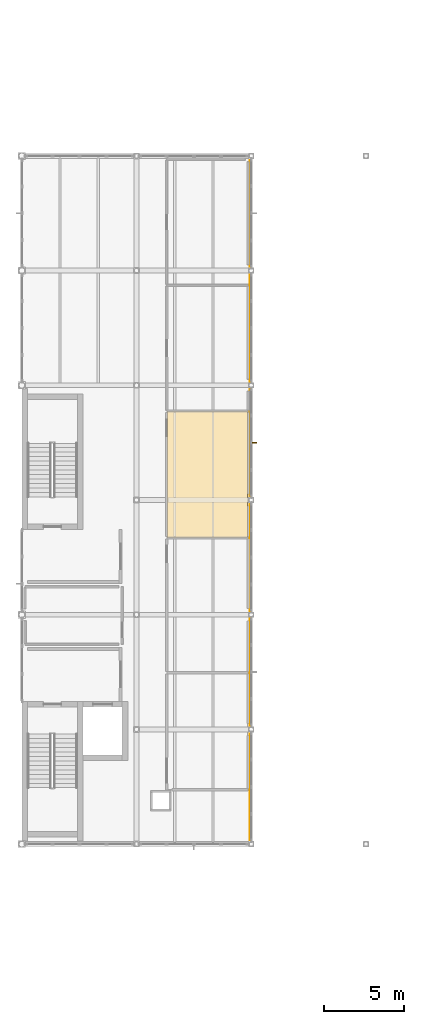
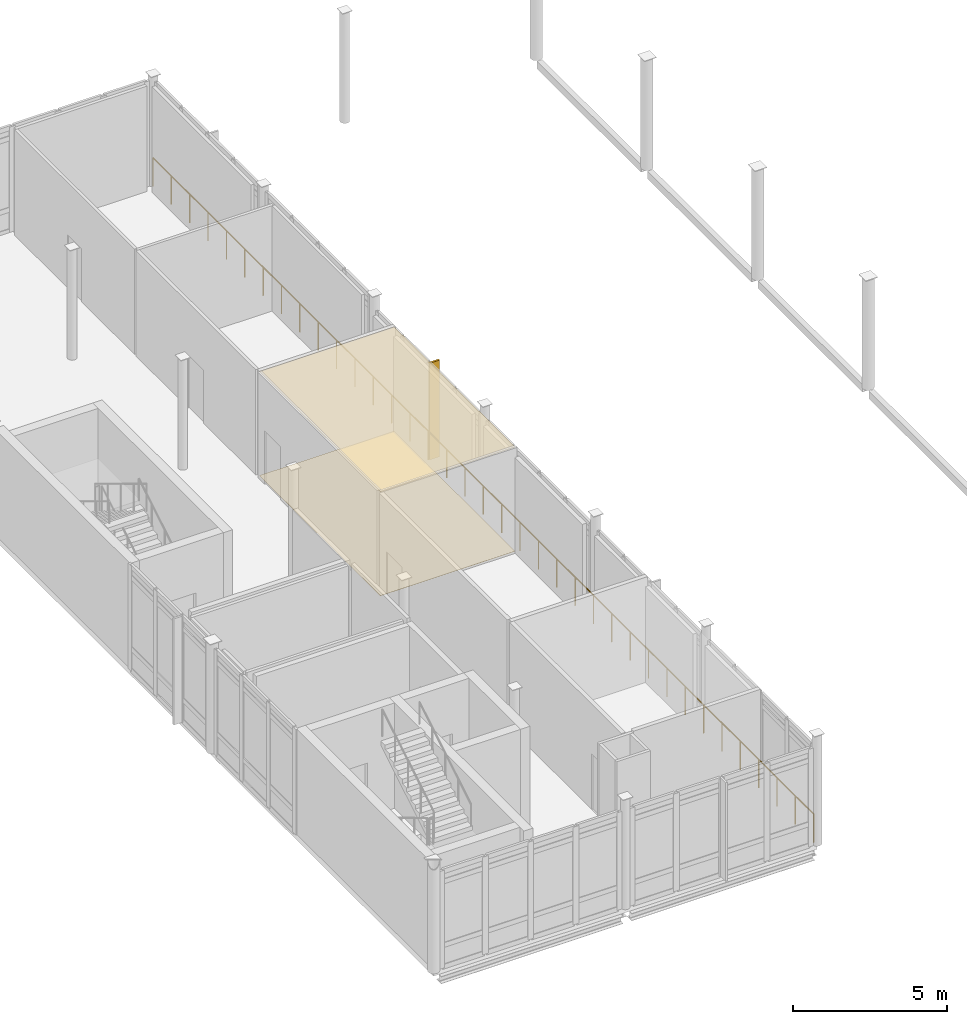
# One storey, part 71 of 76: 2 coverings, 1 railing, 1 shading device.
"""IFC4 building model written with IfcOpenShell, lengths in metres."""

from ifc_helpers import new_model, si_unit, direction, frame, origin, origin_2d, place, context, subcontext, project, spatial, polyline, rectangle, circle, outline, extrude, material, layer, layer_set, type_object, element, save


model = new_model("IFC4")

# Units and contexts
model_context = context("Model", 3, precision=1e-05, world=origin(), true_north=direction((0.0, 1.0)))
body_context = subcontext(model_context, "Body", "Model", "MODEL_VIEW")
ifc_project = project(units=[si_unit("LENGTHUNIT", "METRE"), si_unit("AREAUNIT", "SQUARE_METRE"), si_unit("VOLUMEUNIT", "CUBIC_METRE"), si_unit("PLANEANGLEUNIT", "RADIAN"), si_unit("MASSUNIT", "GRAM", prefix="KILO")], contexts=[model_context])

# Site, building, storey
site_placement = place(None, origin())
site = spatial("IfcSite", under=ifc_project, at=site_placement, CompositionType="ELEMENT")
building_placement = place(site_placement, origin())
building = spatial("IfcBuilding", under=site, at=building_placement, Name="Zarrinpeak Specialist Clinic", CompositionType="ELEMENT")
storey_placement = place(building_placement, frame((0.0, 0.0, 5.199951171875)))
storey = spatial("IfcBuildingStorey", under=building, at=storey_placement, Name="L01", CompositionType="ELEMENT", Elevation=5.199951171875)

# Coverings
ifc_material_1 = material(Name="Hygienic Acoustic Mineral Fibre Tile")
ifc_layer_1 = layer(ifc_material_1, 0.02490234375)
ifc_layer_set_1 = layer_set([ifc_layer_1], Name="Hygienic Acoustic Mineral Fibre Tile")
covering_type_1 = type_object("IfcCoveringType", Name="CV-CEIL-AC", PredefinedType="CEILING", material=ifc_layer_set_1)
covering_1_placement = place(storey_placement, frame((0.0, 0.0, 4.130126953125)))
element("IfcCovering", 1, at=covering_1_placement, inside=storey, type_object=covering_type_1, Name="L01 Speech Swallowing Clinic Hygienic Acoustic Ceiling", PredefinedType="CEILING", context=body_context, shape_type="SweptSolid", body=[
    extrude(outline(polyline([(102.719970703125, 48.06005859375), (107.780029296875, 48.06005859375), (107.780029296875, 55.93994140625), (102.719970703125, 55.93994140625), (102.719970703125, 48.06005859375)])), origin(), (0.0, 0.0, 1.0), 0.02490234375),
])
ifc_material_2 = material(Name="Homogeneous Antimicrobial Clinical Vinyl")
ifc_layer_2 = layer(ifc_material_2, 0.008056640625)
ifc_layer_set_2 = layer_set([ifc_layer_2], Name="Homogeneous Antimicrobial Clinical Vinyl")
covering_type_2 = type_object("IfcCoveringType", Name="CV-FLR-VN", PredefinedType="FLOORING", material=ifc_layer_set_2)
covering_2_placement = place(storey_placement, frame((0.0, 0.0, 0.0009765625)))
element("IfcCovering", 2, at=covering_2_placement, inside=storey, type_object=covering_type_2, Name="L01 Speech Swallowing Clinic Antimicrobial Vinyl Flooring", PredefinedType="FLOORING", context=body_context, shape_type="SweptSolid", body=[
    extrude(outline(polyline([(102.719970703125, 48.06005859375), (107.780029296875, 48.06005859375), (107.780029296875, 55.93994140625), (102.719970703125, 55.93994140625), (102.719970703125, 48.06005859375)])), origin(), (0.0, 0.0, 1.0), 0.008056640625),
])

# Railing
ifc_material_3 = material(Name="Laminated Safety Glass and Stainless Steel 316", Category="steel")
ifc_layer_3 = layer(ifc_material_3, 0.06005859375)
ifc_layer_set_3 = layer_set([ifc_layer_3], Name="Laminated Safety Glass and Stainless Steel 316")
railing_type = type_object("IfcRailingType", Name="RL-GRD115", PredefinedType="GUARDRAIL", material=ifc_layer_set_3)
railing_placement = place(storey_placement, frame((107.93994140625, 28.89990234375, 0.0)))
element("IfcRailing", 3, at=railing_placement, inside=storey, type_object=railing_type, Name="L01 V3 Winterhouse Gallery Atrium Guardrail", PredefinedType="GUARDRAIL", context=body_context, shape_type="SweptSolid", body=[
    extrude(circle(Radius=0.02392578125, at=origin_2d()), frame((0.0, 0.0, 1.1259765625), z_axis=(0.0, 1.0, 0.0), x_axis=(-1.0, 0.0, 0.0)), (0.0, 0.0, 1.0), 43.0),
    extrude(circle(Radius=0.02099609375, at=origin_2d()), origin(), (0.0, 0.0, 1.0), 1.101806640625),
    extrude(circle(Radius=0.02099609375, at=origin_2d()), frame((0.0, 1.1943359375, 0.0)), (0.0, 0.0, 1.0), 1.101806640625),
    extrude(circle(Radius=0.02099609375, at=origin_2d()), frame((0.0, 2.388916015625, 0.0)), (0.0, 0.0, 1.0), 1.101806640625),
    extrude(circle(Radius=0.02099609375, at=origin_2d()), frame((0.0, 3.583251953125, 0.0)), (0.0, 0.0, 1.0), 1.101806640625),
    extrude(circle(Radius=0.02099609375, at=origin_2d()), frame((0.0, 4.77783203125, 0.0)), (0.0, 0.0, 1.0), 1.101806640625),
    extrude(circle(Radius=0.02099609375, at=origin_2d()), frame((0.0, 5.97216796875, 0.0)), (0.0, 0.0, 1.0), 1.101806640625),
    extrude(circle(Radius=0.02099609375, at=origin_2d()), frame((0.0, 7.166748046875, 0.0)), (0.0, 0.0, 1.0), 1.101806640625),
    extrude(circle(Radius=0.02099609375, at=origin_2d()), frame((0.0, 8.361083984375, 0.0)), (0.0, 0.0, 1.0), 1.101806640625),
    extrude(circle(Radius=0.02099609375, at=origin_2d()), frame((0.0, 9.5556640625, 0.0)), (0.0, 0.0, 1.0), 1.101806640625),
    extrude(circle(Radius=0.02099609375, at=origin_2d()), frame((0.0, 10.75, 0.0)), (0.0, 0.0, 1.0), 1.101806640625),
    extrude(circle(Radius=0.02099609375, at=origin_2d()), frame((0.0, 11.9443359375, 0.0)), (0.0, 0.0, 1.0), 1.101806640625),
    extrude(circle(Radius=0.02099609375, at=origin_2d()), frame((0.0, 13.138916015625, 0.0)), (0.0, 0.0, 1.0), 1.101806640625),
    extrude(circle(Radius=0.02099609375, at=origin_2d()), frame((0.0, 14.333251953125, 0.0)), (0.0, 0.0, 1.0), 1.101806640625),
    extrude(circle(Radius=0.02099609375, at=origin_2d()), frame((0.0, 15.52783203125, 0.0)), (0.0, 0.0, 1.0), 1.101806640625),
    extrude(circle(Radius=0.02099609375, at=origin_2d()), frame((0.0, 16.72216796875, 0.0)), (0.0, 0.0, 1.0), 1.101806640625),
    extrude(circle(Radius=0.02099609375, at=origin_2d()), frame((0.0, 17.916748046875, 0.0)), (0.0, 0.0, 1.0), 1.101806640625),
    extrude(circle(Radius=0.02099609375, at=origin_2d()), frame((0.0, 19.111083984375, 0.0)), (0.0, 0.0, 1.0), 1.101806640625),
    extrude(circle(Radius=0.02099609375, at=origin_2d()), frame((0.0, 20.3056640625, 0.0)), (0.0, 0.0, 1.0), 1.101806640625),
    extrude(circle(Radius=0.02099609375, at=origin_2d()), frame((0.0, 21.5, 0.0)), (0.0, 0.0, 1.0), 1.101806640625),
    extrude(circle(Radius=0.02099609375, at=origin_2d()), frame((0.0, 22.6943359375, 0.0)), (0.0, 0.0, 1.0), 1.101806640625),
    extrude(circle(Radius=0.02099609375, at=origin_2d()), frame((0.0, 23.888916015625, 0.0)), (0.0, 0.0, 1.0), 1.101806640625),
    extrude(circle(Radius=0.02099609375, at=origin_2d()), frame((0.0, 25.083251953125, 0.0)), (0.0, 0.0, 1.0), 1.101806640625),
    extrude(circle(Radius=0.02099609375, at=origin_2d()), frame((0.0, 26.27783203125, 0.0)), (0.0, 0.0, 1.0), 1.101806640625),
    extrude(circle(Radius=0.02099609375, at=origin_2d()), frame((0.0, 27.47216796875, 0.0)), (0.0, 0.0, 1.0), 1.101806640625),
    extrude(circle(Radius=0.02099609375, at=origin_2d()), frame((0.0, 28.666748046875, 0.0)), (0.0, 0.0, 1.0), 1.101806640625),
    extrude(circle(Radius=0.02099609375, at=origin_2d()), frame((0.0, 29.861083984375, 0.0)), (0.0, 0.0, 1.0), 1.101806640625),
    extrude(circle(Radius=0.02099609375, at=origin_2d()), frame((0.0, 31.0556640625, 0.0)), (0.0, 0.0, 1.0), 1.101806640625),
    extrude(circle(Radius=0.02099609375, at=origin_2d()), frame((0.0, 32.25, 0.0)), (0.0, 0.0, 1.0), 1.101806640625),
    extrude(circle(Radius=0.02099609375, at=origin_2d()), frame((0.0, 33.4443359375, 0.0)), (0.0, 0.0, 1.0), 1.101806640625),
    extrude(circle(Radius=0.02099609375, at=origin_2d()), frame((0.0, 34.638916015625, 0.0)), (0.0, 0.0, 1.0), 1.101806640625),
    extrude(circle(Radius=0.02099609375, at=origin_2d()), frame((0.0, 35.833251953125, 0.0)), (0.0, 0.0, 1.0), 1.101806640625),
    extrude(circle(Radius=0.02099609375, at=origin_2d()), frame((0.0, 37.02783203125, 0.0)), (0.0, 0.0, 1.0), 1.101806640625),
    extrude(circle(Radius=0.02099609375, at=origin_2d()), frame((0.0, 38.22216796875, 0.0)), (0.0, 0.0, 1.0), 1.101806640625),
    extrude(circle(Radius=0.02099609375, at=origin_2d()), frame((0.0, 39.416748046875, 0.0)), (0.0, 0.0, 1.0), 1.101806640625),
    extrude(circle(Radius=0.02099609375, at=origin_2d()), frame((0.0, 40.611083984375, 0.0)), (0.0, 0.0, 1.0), 1.101806640625),
    extrude(circle(Radius=0.02099609375, at=origin_2d()), frame((0.0, 41.8056640625, 0.0)), (0.0, 0.0, 1.0), 1.101806640625),
    extrude(circle(Radius=0.02099609375, at=origin_2d()), frame((0.0, 43.0, 0.0)), (0.0, 0.0, 1.0), 1.101806640625),
])

# Shading device
ifc_material_4 = material(Name="Anodised Bronze Aluminium", Category="aluminium")
shading_device_type = type_object("IfcShadingDeviceType", Name="SHD-FIN-BZ", PredefinedType="JALOUSIE", material=ifc_material_4)
shading_device_placement = place(storey_placement, frame((108.1650390625, 54.0, -0.01513671875), z_axis=(0.0, 0.0, 1.0), x_axis=(1.0, 0.0, 0.0)))
element("IfcShadingDevice", 4, at=shading_device_placement, inside=storey, type_object=shading_device_type, Name="L01 V3 Solar Control Fin FIN-067", PredefinedType="JALOUSIE", context=body_context, shape_type="SweptSolid", body=[
    extrude(rectangle(XDim=0.3798828125, YDim=0.074951171875, at=origin_2d()), origin(), (0.0, 0.0, 1.0), 3.840087890625),
])

save(model, "model.ifc")
